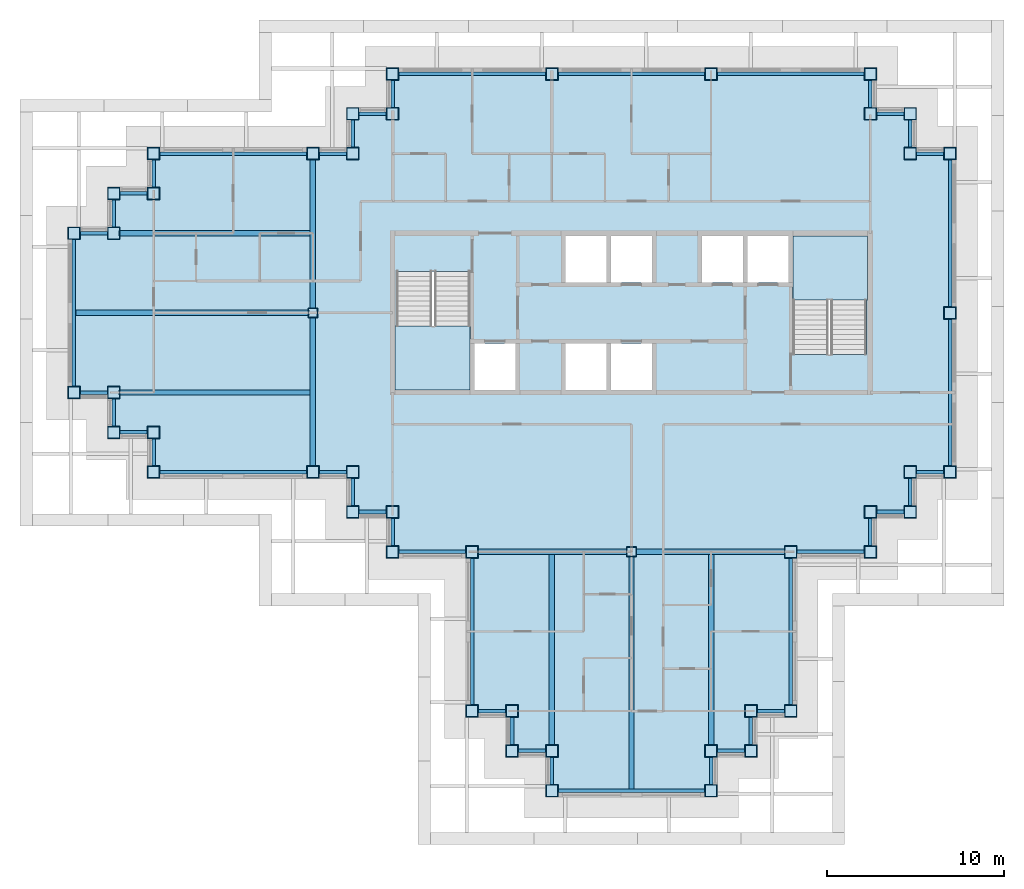
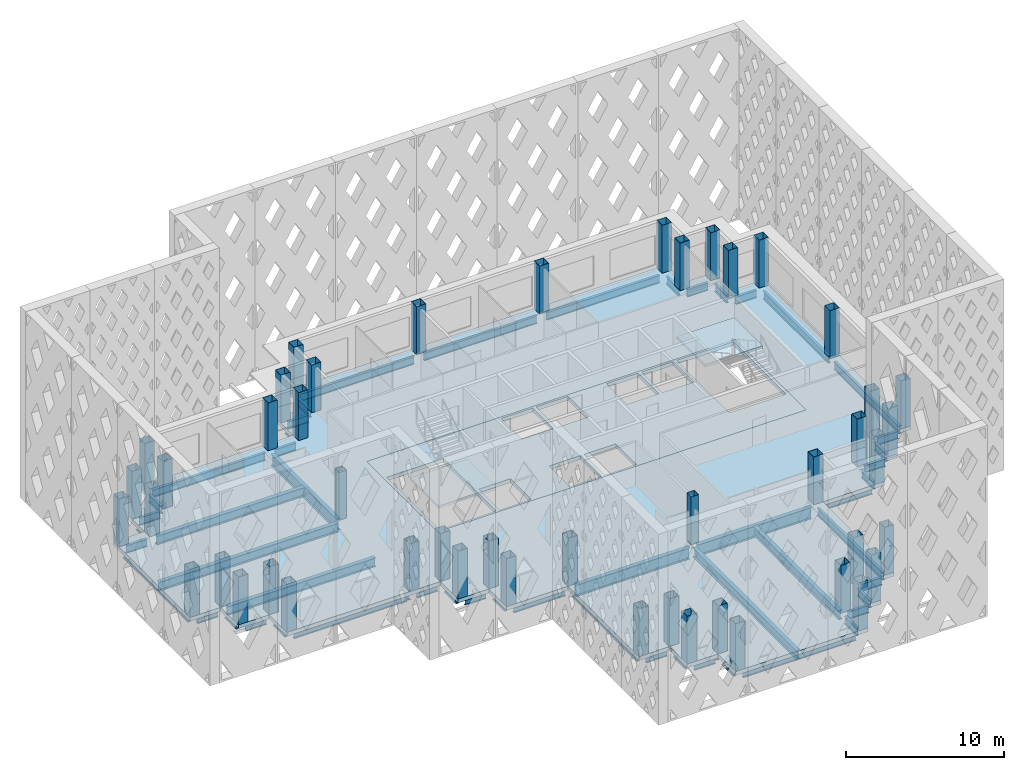
# One storey, part 1 of 16: 55 beams, 47 columns, 4 slabs, 2 elements without a shape of their own.
"""IFC4 building model written with IfcOpenShell, lengths in metres."""

from ifc_helpers import new_model, si_unit, direction, frame, origin, origin_2d, place, context, subcontext, project, spatial, polyline, hollow_rectangle, i_section, outline, extrude, material, layer, layer_set, material_profile, profile_set, type_object, element, aggregate, save


model = new_model("IFC4")

# Units and contexts
model_context = context("Model", 3, precision=1e-05, world=origin(), true_north=direction((0.0, 1.0)))
body_context = subcontext(model_context, "Body", "Model", "MODEL_VIEW")
ifc_project = project(units=[si_unit("LENGTHUNIT", "METRE"), si_unit("AREAUNIT", "SQUARE_METRE"), si_unit("VOLUMEUNIT", "CUBIC_METRE"), si_unit("PLANEANGLEUNIT", "RADIAN"), si_unit("MASSUNIT", "GRAM", prefix="KILO")], contexts=[model_context])

# Site, building, storey
site_placement = place(None, origin())
site = spatial("IfcSite", under=ifc_project, at=site_placement, CompositionType="ELEMENT")
building_placement = place(site_placement, origin())
building = spatial("IfcBuilding", under=site, at=building_placement, Name="Caravel Reach Hotel and Residences", CompositionType="ELEMENT")
storey_placement = place(building_placement, frame((0.0, 0.0, 207.199951171875)))
storey = spatial("IfcBuildingStorey", under=building, at=storey_placement, Name="L52", CompositionType="ELEMENT", Elevation=207.199951171875)

# Columns
ifc_material_1 = material(Name="Concrete-filled steel tube Q390B with Concrete C60 infill", Category="concrete")
ifc_material_profile_1 = material_profile(ifc_material_1, hollow_rectangle(XDim=0.550048828125, YDim=0.550048828125, WallThickness=0.01806640625, at=origin_2d()), Name="RHS 550x550x18")
ifc_profile_set_1 = profile_set([ifc_material_profile_1], Name="Concrete-filled steel tube Q390B with Concrete C60 infill")
column_type_1 = type_object("IfcColumnType", Name="CFT 550x550 Q390B C60", PredefinedType="COLUMN", material=ifc_profile_set_1)
for number, where, z_axis, x_axis, name in (
    (1, (31.5, 13.5, 0.0), (0.0, 0.0, 1.0), (1.0, 0.0, 0.0), "C18 column"),
    (2, (13.5, 27.0, 0.0), (0.0, 0.0, 1.0), (1.0, 0.0, 0.0), "C18 column"),
):
    element("IfcColumn", number, at=place(storey_placement, frame(where, z_axis=z_axis, x_axis=x_axis)), inside=storey, type_object=column_type_1, Name=name, PredefinedType="COLUMN", context=body_context, shape_type="SweptSolid", body=[
        extrude(hollow_rectangle(XDim=0.550048828125, YDim=0.550048828125, WallThickness=0.01806640625, at=origin_2d()), origin(), (0.0, 0.0, 1.0), 3.699951171875),
    ])
ifc_material_2 = material(Name="Concrete-filled steel tube Q390B with Concrete C60 infill", Category="concrete")
ifc_material_profile_2 = material_profile(ifc_material_2, hollow_rectangle(XDim=0.699951171875, YDim=0.699951171875, WallThickness=0.02197265625, at=origin_2d()), Name="RHS 700x700x22")
ifc_profile_set_2 = profile_set([ifc_material_profile_2], Name="Concrete-filled steel tube Q390B with Concrete C60 infill")
column_type_2 = type_object("IfcColumnType", Name="CFT 700x700 Q390B C60", PredefinedType="COLUMN", material=ifc_profile_set_2)
for number, where, z_axis, x_axis, name in (
    (3, (40.5, 13.5, 0.0), (0.0, 0.0, 1.0), (1.0, 0.0, 0.0), "C7 column"),
    (4, (45.0, 13.5, 0.0), (0.0, 0.0, 1.0), (1.0, 0.0, 0.0), "C7 column"),
    (5, (45.0, 15.75, 0.0), (0.0, 0.0, 1.0), (1.0, 0.0, 0.0), "C7 column"),
    (6, (47.25, 15.75, 0.0), (0.0, 0.0, 1.0), (1.0, 0.0, 0.0), "C7 column"),
    (7, (47.25, 18.0, 0.0), (0.0, 0.0, 1.0), (1.0, 0.0, 0.0), "C7 column"),
    (8, (49.5, 18.0, 0.0), (0.0, 0.0, 1.0), (1.0, 0.0, 0.0), "C7 column"),
    (9, (49.5, 27.0, 0.0), (0.0, 0.0, 1.0), (1.0, 0.0, 0.0), "C7 column"),
    (10, (49.5, 36.0, 0.0), (0.0, 0.0, 1.0), (1.0, 0.0, 0.0), "C7 column"),
    (11, (47.25, 36.0, 0.0), (0.0, 0.0, 1.0), (1.0, 0.0, 0.0), "C7 column"),
    (12, (47.25, 38.25, 0.0), (0.0, 0.0, 1.0), (1.0, 0.0, 0.0), "C7 column"),
    (13, (45.0, 38.25, 0.0), (0.0, 0.0, 1.0), (1.0, 0.0, 0.0), "C7 column"),
    (14, (45.0, 40.5, 0.0), (0.0, 0.0, 1.0), (1.0, 0.0, 0.0), "C7 column"),
    (15, (36.0, 40.5, 0.0), (0.0, 0.0, 1.0), (1.0, 0.0, 0.0), "C7 column"),
    (16, (27.0, 40.5, 0.0), (0.0, 0.0, 1.0), (1.0, 0.0, 0.0), "C7 column"),
    (17, (18.0, 40.5, 0.0), (0.0, 0.0, 1.0), (1.0, 0.0, 0.0), "C7 column"),
    (18, (18.0, 38.25, 0.0), (0.0, 0.0, 1.0), (1.0, 0.0, 0.0), "C7 column"),
    (19, (15.75, 38.25, 0.0), (0.0, 0.0, 1.0), (1.0, 0.0, 0.0), "C7 column"),
    (20, (15.75, 36.0, 0.0), (0.0, 0.0, 1.0), (1.0, 0.0, 0.0), "C7 column"),
    (21, (13.5, 36.0, 0.0), (0.0, 0.0, 1.0), (1.0, 0.0, 0.0), "C7 column"),
    (22, (4.5, 36.0, 0.0), (0.0, 0.0, 1.0), (1.0, 0.0, 0.0), "C7 column"),
    (23, (4.5, 33.75, 0.0), (0.0, 0.0, 1.0), (1.0, 0.0, 0.0), "C7 column"),
    (24, (2.25, 33.75, 0.0), (0.0, 0.0, 1.0), (1.0, 0.0, 0.0), "C7 column"),
    (25, (2.25, 31.5, 0.0), (0.0, 0.0, 1.0), (1.0, 0.0, 0.0), "C7 column"),
    (26, (0.0, 31.5, 0.0), (0.0, 0.0, 1.0), (1.0, 0.0, 0.0), "C7 column"),
    (27, (0.0, 22.5, 0.0), (0.0, 0.0, 1.0), (1.0, 0.0, 0.0), "C7 column"),
    (28, (2.25, 22.5, 0.0), (0.0, 0.0, 1.0), (1.0, 0.0, 0.0), "C7 column"),
    (29, (2.25, 20.25, 0.0), (0.0, 0.0, 1.0), (1.0, 0.0, 0.0), "C7 column"),
    (30, (4.5, 20.25, 0.0), (0.0, 0.0, 1.0), (1.0, 0.0, 0.0), "C7 column"),
    (31, (4.5, 18.0, 0.0), (0.0, 0.0, 1.0), (1.0, 0.0, 0.0), "C7 column"),
    (32, (13.5, 18.0, 0.0), (0.0, 0.0, 1.0), (1.0, 0.0, 0.0), "C7 column"),
    (33, (15.75, 18.0, 0.0), (0.0, 0.0, 1.0), (1.0, 0.0, 0.0), "C7 column"),
    (34, (15.75, 15.75, 0.0), (0.0, 0.0, 1.0), (1.0, 0.0, 0.0), "C7 column"),
    (35, (18.0, 15.75, 0.0), (0.0, 0.0, 1.0), (1.0, 0.0, 0.0), "C7 column"),
    (36, (18.0, 13.5, 0.0), (0.0, 0.0, 1.0), (1.0, 0.0, 0.0), "C7 column"),
    (37, (22.5, 13.5, 0.0), (0.0, 0.0, 1.0), (1.0, 0.0, 0.0), "C7 column"),
    (38, (22.5, 4.5, 0.0), (0.0, 0.0, 1.0), (1.0, 0.0, 0.0), "C7 column"),
    (39, (24.75, 4.5, 0.0), (0.0, 0.0, 1.0), (1.0, 0.0, 0.0), "C7 column"),
    (40, (24.75, 2.25, 0.0), (0.0, 0.0, 1.0), (1.0, 0.0, 0.0), "C7 column"),
    (41, (27.0, 2.25, 0.0), (0.0, 0.0, 1.0), (1.0, 0.0, 0.0), "C7 column"),
    (42, (27.0, 0.0, 0.0), (0.0, 0.0, 1.0), (1.0, 0.0, 0.0), "C7 column"),
    (43, (36.0, 0.0, 0.0), (0.0, 0.0, 1.0), (1.0, 0.0, 0.0), "C7 column"),
    (44, (36.0, 2.25, 0.0), (0.0, 0.0, 1.0), (1.0, 0.0, 0.0), "C7 column"),
    (45, (38.25, 2.25, 0.0), (0.0, 0.0, 1.0), (1.0, 0.0, 0.0), "C7 column"),
    (46, (38.25, 4.5, 0.0), (0.0, 0.0, 1.0), (1.0, 0.0, 0.0), "C7 column"),
    (47, (40.5, 4.5, 0.0), (0.0, 0.0, 1.0), (1.0, 0.0, 0.0), "C7 column"),
):
    element("IfcColumn", number, at=place(storey_placement, frame(where, z_axis=z_axis, x_axis=x_axis)), inside=storey, type_object=column_type_2, Name=name, PredefinedType="COLUMN", context=body_context, shape_type="SweptSolid", body=[
        extrude(hollow_rectangle(XDim=0.699951171875, YDim=0.699951171875, WallThickness=0.02197265625, at=origin_2d()), origin(), (0.0, 0.0, 1.0), 3.699951171875),
    ])

# Beams
ifc_material_3 = material(Name="Structural steel Q355B", Category="steel")
ifc_material_profile_3 = material_profile(ifc_material_3, i_section(OverallWidth=0.300048828125, OverallDepth=0.699951171875, WebThickness=0.012939453125, FlangeThickness=0.02392578125, FilletRadius=0.01806640625, at=origin_2d()), Name="HN 700x300x13x24")
ifc_profile_set_3 = profile_set([ifc_material_profile_3], Name="Structural steel Q355B")
beam_type_1 = type_object("IfcBeamType", Name="Beam HN 700x300x13x24", PredefinedType="BEAM", material=ifc_profile_set_3)
beam_1_placement = place(storey_placement, frame((27.0, 13.39990234375, -0.64990234375), z_axis=(0.0, -1.0, 0.0), x_axis=(1.0, 0.0, 0.0)))
element("IfcBeam", 48, at=beam_1_placement, inside=storey, type_object=beam_type_1, Name="B2 HN 700x300x13x24", PredefinedType="BEAM", context=body_context, shape_type="SweptSolid", body=[
    extrude(i_section(OverallWidth=0.300048828125, OverallDepth=0.699951171875, WebThickness=0.012939453125, FlangeThickness=0.02392578125, FilletRadius=0.01806640625, at=origin_2d()), origin(), (0.0, 0.0, 1.0), 10.849853515625),
])
beam_2_placement = place(storey_placement, frame((31.5, 13.27490234375, -0.64990234375), z_axis=(0.0, -1.0, 0.0), x_axis=(1.0, 0.0, 0.0)))
element("IfcBeam", 49, at=beam_2_placement, inside=storey, type_object=beam_type_1, Name="B2 HN 700x300x13x24", PredefinedType="BEAM", context=body_context, shape_type="SweptSolid", body=[
    extrude(i_section(OverallWidth=0.300048828125, OverallDepth=0.699951171875, WebThickness=0.012939453125, FlangeThickness=0.02392578125, FilletRadius=0.01806640625, at=origin_2d()), origin(), (0.0, 0.0, 1.0), 13.1748046875),
])
for number, where, z_axis, x_axis, name in (
    (50, (36.0, 13.39990234375, -0.64990234375), (0.0, -1.0, 0.0), (1.0, 0.0, 0.0), "B2 HN 700x300x13x24"),
    (51, (13.39990234375, 22.5, -0.64990234375), (-1.0, 0.0, 0.0), (0.0, -1.0, 0.0), "B2 HN 700x300x13x24"),
):
    element("IfcBeam", number, at=place(storey_placement, frame(where, z_axis=z_axis, x_axis=x_axis)), inside=storey, type_object=beam_type_1, Name=name, PredefinedType="BEAM", context=body_context, shape_type="SweptSolid", body=[
        extrude(i_section(OverallWidth=0.300048828125, OverallDepth=0.699951171875, WebThickness=0.012939453125, FlangeThickness=0.02392578125, FilletRadius=0.01806640625, at=origin_2d()), origin(), (0.0, 0.0, 1.0), 10.849853515625),
    ])
beam_3_placement = place(storey_placement, frame((13.27490234375, 27.0, -0.64990234375), z_axis=(-1.0, 0.0, 0.0), x_axis=(0.0, -1.0, 0.0)))
element("IfcBeam", 52, at=beam_3_placement, inside=storey, type_object=beam_type_1, Name="B2 HN 700x300x13x24", PredefinedType="BEAM", context=body_context, shape_type="SweptSolid", body=[
    extrude(i_section(OverallWidth=0.300048828125, OverallDepth=0.699951171875, WebThickness=0.012939453125, FlangeThickness=0.02392578125, FilletRadius=0.01806640625, at=origin_2d()), origin(), (0.0, 0.0, 1.0), 13.1748046875),
])
beam_4_placement = place(storey_placement, frame((13.39990234375, 31.5, -0.64990234375), z_axis=(-1.0, 0.0, 0.0), x_axis=(0.0, -1.0, 0.0)))
element("IfcBeam", 53, at=beam_4_placement, inside=storey, type_object=beam_type_1, Name="B2 HN 700x300x13x24", PredefinedType="BEAM", context=body_context, shape_type="SweptSolid", body=[
    extrude(i_section(OverallWidth=0.300048828125, OverallDepth=0.699951171875, WebThickness=0.012939453125, FlangeThickness=0.02392578125, FilletRadius=0.01806640625, at=origin_2d()), origin(), (0.0, 0.0, 1.0), 10.849853515625),
])
ifc_material_4 = material(Name="Structural steel Q355B", Category="steel")
ifc_material_profile_4 = material_profile(ifc_material_4, i_section(OverallWidth=0.300048828125, OverallDepth=0.89990234375, WebThickness=0.01611328125, FlangeThickness=0.028076171875, FilletRadius=0.01806640625, at=origin_2d()), Name="HN 900x300x16x28")
ifc_profile_set_4 = profile_set([ifc_material_profile_4], Name="Structural steel Q355B")
beam_type_2 = type_object("IfcBeamType", Name="Beam HN 900x300x16x28", PredefinedType="BEAM", material=ifc_profile_set_4)
for number, where, z_axis, x_axis, name in (
    (54, (22.85009765625, 13.5, -0.75), (1.0, 0.0, 0.0), (0.0, 1.0, 0.0), "B3 HN 900x300x16x28"),
    (55, (31.77490234375, 13.5, -0.75), (1.0, 0.0, 0.0), (0.0, 1.0, 0.0), "B3 HN 900x300x16x28"),
    (56, (13.5, 18.35009765625, -0.75), (0.0, 1.0, 0.0), (-1.0, 0.0, 0.0), "B3 HN 900x300x16x28"),
    (57, (13.5, 27.27490234375, -0.75), (0.0, 1.0, 0.0), (-1.0, 0.0, 0.0), "B3 HN 900x300x16x28"),
):
    element("IfcBeam", number, at=place(storey_placement, frame(where, z_axis=z_axis, x_axis=x_axis)), inside=storey, type_object=beam_type_2, Name=name, PredefinedType="BEAM", context=body_context, shape_type="SweptSolid", body=[
        extrude(i_section(OverallWidth=0.300048828125, OverallDepth=0.89990234375, WebThickness=0.01611328125, FlangeThickness=0.028076171875, FilletRadius=0.01806640625, at=origin_2d()), origin(), (0.0, 0.0, 1.0), 8.375),
    ])
ifc_material_5 = material(Name="Structural steel Q355B", Category="steel")
ifc_material_profile_5 = material_profile(ifc_material_5, i_section(OverallWidth=0.199951171875, OverallDepth=0.60009765625, WebThickness=0.010986328125, FlangeThickness=0.01708984375, FilletRadius=0.012939453125, at=origin_2d()), Name="HN 600x200x11x17")
ifc_profile_set_5 = profile_set([ifc_material_profile_5], Name="Structural steel Q355B")
beam_type_3 = type_object("IfcBeamType", Name="Spandrel beam HN 600x200x11x17", PredefinedType="SPANDREL", material=ifc_profile_set_5)
beam_5_placement = place(storey_placement, frame((40.85009765625, 13.5, -0.599853515625), z_axis=(1.0, 0.0, 0.0), x_axis=(0.0, 1.0, 0.0)))
element("IfcBeam", 58, at=beam_5_placement, inside=storey, type_object=beam_type_3, Name="SP1 HN 600x200x11x17", PredefinedType="SPANDREL", context=body_context, shape_type="SweptSolid", body=[
    extrude(i_section(OverallWidth=0.199951171875, OverallDepth=0.60009765625, WebThickness=0.010986328125, FlangeThickness=0.01708984375, FilletRadius=0.012939453125, at=origin_2d()), origin(), (0.0, 0.0, 1.0), 3.7998046875),
])
for number, where, z_axis, x_axis, name in (
    (59, (45.0, 13.85009765625, -0.599853515625), (0.0, 1.0, 0.0), (-1.0, 0.0, 0.0), "SP1 HN 600x200x11x17"),
    (60, (45.35009765625, 15.75, -0.599853515625), (1.0, 0.0, 0.0), (0.0, 1.0, 0.0), "SP1 HN 600x200x11x17"),
    (61, (47.25, 16.10009765625, -0.599853515625), (0.0, 1.0, 0.0), (-1.0, 0.0, 0.0), "SP1 HN 600x200x11x17"),
    (62, (47.60009765625, 18.0, -0.599853515625), (1.0, 0.0, 0.0), (0.0, 1.0, 0.0), "SP1 HN 600x200x11x17"),
):
    element("IfcBeam", number, at=place(storey_placement, frame(where, z_axis=z_axis, x_axis=x_axis)), inside=storey, type_object=beam_type_3, Name=name, PredefinedType="SPANDREL", context=body_context, shape_type="SweptSolid", body=[
        extrude(i_section(OverallWidth=0.199951171875, OverallDepth=0.60009765625, WebThickness=0.010986328125, FlangeThickness=0.01708984375, FilletRadius=0.012939453125, at=origin_2d()), origin(), (0.0, 0.0, 1.0), 1.5498046875),
    ])
for number, where, z_axis, x_axis, name in (
    (63, (49.5, 18.35009765625, -0.599853515625), (0.0, 1.0, 0.0), (-1.0, 0.0, 0.0), "SP1 HN 600x200x11x17"),
    (64, (49.5, 27.35009765625, -0.599853515625), (0.0, 1.0, 0.0), (-1.0, 0.0, 0.0), "SP1 HN 600x200x11x17"),
):
    element("IfcBeam", number, at=place(storey_placement, frame(where, z_axis=z_axis, x_axis=x_axis)), inside=storey, type_object=beam_type_3, Name=name, PredefinedType="SPANDREL", context=body_context, shape_type="SweptSolid", body=[
        extrude(i_section(OverallWidth=0.199951171875, OverallDepth=0.60009765625, WebThickness=0.010986328125, FlangeThickness=0.01708984375, FilletRadius=0.012939453125, at=origin_2d()), origin(), (0.0, 0.0, 1.0), 8.2998046875),
    ])
for number, where, z_axis, x_axis, name in (
    (65, (49.14990234375, 36.0, -0.599853515625), (-1.0, 0.0, 0.0), (0.0, -1.0, 0.0), "SP1 HN 600x200x11x17"),
    (66, (47.25, 36.35009765625, -0.599853515625), (0.0, 1.0, 0.0), (-1.0, 0.0, 0.0), "SP1 HN 600x200x11x17"),
    (67, (46.89990234375, 38.25, -0.599853515625), (-1.0, 0.0, 0.0), (0.0, -1.0, 0.0), "SP1 HN 600x200x11x17"),
    (68, (45.0, 38.60009765625, -0.599853515625), (0.0, 1.0, 0.0), (-1.0, 0.0, 0.0), "SP1 HN 600x200x11x17"),
):
    element("IfcBeam", number, at=place(storey_placement, frame(where, z_axis=z_axis, x_axis=x_axis)), inside=storey, type_object=beam_type_3, Name=name, PredefinedType="SPANDREL", context=body_context, shape_type="SweptSolid", body=[
        extrude(i_section(OverallWidth=0.199951171875, OverallDepth=0.60009765625, WebThickness=0.010986328125, FlangeThickness=0.01708984375, FilletRadius=0.012939453125, at=origin_2d()), origin(), (0.0, 0.0, 1.0), 1.5498046875),
    ])
for number, where, z_axis, x_axis, name in (
    (69, (44.64990234375, 40.5, -0.599853515625), (-1.0, 0.0, 0.0), (0.0, -1.0, 0.0), "SP1 HN 600x200x11x17"),
    (70, (35.64990234375, 40.5, -0.599853515625), (-1.0, 0.0, 0.0), (0.0, -1.0, 0.0), "SP1 HN 600x200x11x17"),
    (71, (26.64990234375, 40.5, -0.599853515625), (-1.0, 0.0, 0.0), (0.0, -1.0, 0.0), "SP1 HN 600x200x11x17"),
):
    element("IfcBeam", number, at=place(storey_placement, frame(where, z_axis=z_axis, x_axis=x_axis)), inside=storey, type_object=beam_type_3, Name=name, PredefinedType="SPANDREL", context=body_context, shape_type="SweptSolid", body=[
        extrude(i_section(OverallWidth=0.199951171875, OverallDepth=0.60009765625, WebThickness=0.010986328125, FlangeThickness=0.01708984375, FilletRadius=0.012939453125, at=origin_2d()), origin(), (0.0, 0.0, 1.0), 8.2998046875),
    ])
for number, where, z_axis, x_axis, name in (
    (72, (18.0, 40.14990234375, -0.599853515625), (0.0, -1.0, 0.0), (1.0, 0.0, 0.0), "SP1 HN 600x200x11x17"),
    (73, (17.64990234375, 38.25, -0.599853515625), (-1.0, 0.0, 0.0), (0.0, -1.0, 0.0), "SP1 HN 600x200x11x17"),
    (74, (15.75, 37.89990234375, -0.599853515625), (0.0, -1.0, 0.0), (1.0, 0.0, 0.0), "SP1 HN 600x200x11x17"),
    (75, (15.39990234375, 36.0, -0.599853515625), (-1.0, 0.0, 0.0), (0.0, -1.0, 0.0), "SP1 HN 600x200x11x17"),
):
    element("IfcBeam", number, at=place(storey_placement, frame(where, z_axis=z_axis, x_axis=x_axis)), inside=storey, type_object=beam_type_3, Name=name, PredefinedType="SPANDREL", context=body_context, shape_type="SweptSolid", body=[
        extrude(i_section(OverallWidth=0.199951171875, OverallDepth=0.60009765625, WebThickness=0.010986328125, FlangeThickness=0.01708984375, FilletRadius=0.012939453125, at=origin_2d()), origin(), (0.0, 0.0, 1.0), 1.5498046875),
    ])
beam_6_placement = place(storey_placement, frame((13.14990234375, 36.0, -0.599853515625), z_axis=(-1.0, 0.0, 0.0), x_axis=(0.0, -1.0, 0.0)))
element("IfcBeam", 76, at=beam_6_placement, inside=storey, type_object=beam_type_3, Name="SP1 HN 600x200x11x17", PredefinedType="SPANDREL", context=body_context, shape_type="SweptSolid", body=[
    extrude(i_section(OverallWidth=0.199951171875, OverallDepth=0.60009765625, WebThickness=0.010986328125, FlangeThickness=0.01708984375, FilletRadius=0.012939453125, at=origin_2d()), origin(), (0.0, 0.0, 1.0), 8.2998046875),
])
for number, where, z_axis, x_axis, name in (
    (77, (4.5, 35.64990234375, -0.599853515625), (0.0, -1.0, 0.0), (1.0, 0.0, 0.0), "SP1 HN 600x200x11x17"),
    (78, (4.14990234375, 33.75, -0.599853515625), (-1.0, 0.0, 0.0), (0.0, -1.0, 0.0), "SP1 HN 600x200x11x17"),
    (79, (2.25, 33.39990234375, -0.599853515625), (0.0, -1.0, 0.0), (1.0, 0.0, 0.0), "SP1 HN 600x200x11x17"),
    (80, (1.89990234375, 31.5, -0.599853515625), (-1.0, 0.0, 0.0), (0.0, -1.0, 0.0), "SP1 HN 600x200x11x17"),
):
    element("IfcBeam", number, at=place(storey_placement, frame(where, z_axis=z_axis, x_axis=x_axis)), inside=storey, type_object=beam_type_3, Name=name, PredefinedType="SPANDREL", context=body_context, shape_type="SweptSolid", body=[
        extrude(i_section(OverallWidth=0.199951171875, OverallDepth=0.60009765625, WebThickness=0.010986328125, FlangeThickness=0.01708984375, FilletRadius=0.012939453125, at=origin_2d()), origin(), (0.0, 0.0, 1.0), 1.5498046875),
    ])
beam_7_placement = place(storey_placement, frame((0.0, 31.14990234375, -0.599853515625), z_axis=(0.0, -1.0, 0.0), x_axis=(1.0, 0.0, 0.0)))
element("IfcBeam", 81, at=beam_7_placement, inside=storey, type_object=beam_type_3, Name="SP1 HN 600x200x11x17", PredefinedType="SPANDREL", context=body_context, shape_type="SweptSolid", body=[
    extrude(i_section(OverallWidth=0.199951171875, OverallDepth=0.60009765625, WebThickness=0.010986328125, FlangeThickness=0.01708984375, FilletRadius=0.012939453125, at=origin_2d()), origin(), (0.0, 0.0, 1.0), 8.2998046875),
])
for number, where, z_axis, x_axis, name in (
    (82, (0.35009765625, 22.5, -0.599853515625), (1.0, 0.0, 0.0), (0.0, 1.0, 0.0), "SP1 HN 600x200x11x17"),
    (83, (2.25, 22.14990234375, -0.599853515625), (0.0, -1.0, 0.0), (1.0, 0.0, 0.0), "SP1 HN 600x200x11x17"),
    (84, (2.60009765625, 20.25, -0.599853515625), (1.0, 0.0, 0.0), (0.0, 1.0, 0.0), "SP1 HN 600x200x11x17"),
    (85, (4.5, 19.89990234375, -0.599853515625), (0.0, -1.0, 0.0), (1.0, 0.0, 0.0), "SP1 HN 600x200x11x17"),
):
    element("IfcBeam", number, at=place(storey_placement, frame(where, z_axis=z_axis, x_axis=x_axis)), inside=storey, type_object=beam_type_3, Name=name, PredefinedType="SPANDREL", context=body_context, shape_type="SweptSolid", body=[
        extrude(i_section(OverallWidth=0.199951171875, OverallDepth=0.60009765625, WebThickness=0.010986328125, FlangeThickness=0.01708984375, FilletRadius=0.012939453125, at=origin_2d()), origin(), (0.0, 0.0, 1.0), 1.5498046875),
    ])
beam_8_placement = place(storey_placement, frame((4.85009765625, 18.0, -0.599853515625), z_axis=(1.0, 0.0, 0.0), x_axis=(0.0, 1.0, 0.0)))
element("IfcBeam", 86, at=beam_8_placement, inside=storey, type_object=beam_type_3, Name="SP1 HN 600x200x11x17", PredefinedType="SPANDREL", context=body_context, shape_type="SweptSolid", body=[
    extrude(i_section(OverallWidth=0.199951171875, OverallDepth=0.60009765625, WebThickness=0.010986328125, FlangeThickness=0.01708984375, FilletRadius=0.012939453125, at=origin_2d()), origin(), (0.0, 0.0, 1.0), 8.2998046875),
])
for number, where, z_axis, x_axis, name in (
    (87, (13.85009765625, 18.0, -0.599853515625), (1.0, 0.0, 0.0), (0.0, 1.0, 0.0), "SP1 HN 600x200x11x17"),
    (88, (15.75, 17.64990234375, -0.599853515625), (0.0, -1.0, 0.0), (1.0, 0.0, 0.0), "SP1 HN 600x200x11x17"),
    (89, (16.10009765625, 15.75, -0.599853515625), (1.0, 0.0, 0.0), (0.0, 1.0, 0.0), "SP1 HN 600x200x11x17"),
    (90, (18.0, 15.39990234375, -0.599853515625), (0.0, -1.0, 0.0), (1.0, 0.0, 0.0), "SP1 HN 600x200x11x17"),
):
    element("IfcBeam", number, at=place(storey_placement, frame(where, z_axis=z_axis, x_axis=x_axis)), inside=storey, type_object=beam_type_3, Name=name, PredefinedType="SPANDREL", context=body_context, shape_type="SweptSolid", body=[
        extrude(i_section(OverallWidth=0.199951171875, OverallDepth=0.60009765625, WebThickness=0.010986328125, FlangeThickness=0.01708984375, FilletRadius=0.012939453125, at=origin_2d()), origin(), (0.0, 0.0, 1.0), 1.5498046875),
    ])
beam_9_placement = place(storey_placement, frame((18.35009765625, 13.5, -0.599853515625), z_axis=(1.0, 0.0, 0.0), x_axis=(0.0, 1.0, 0.0)))
element("IfcBeam", 91, at=beam_9_placement, inside=storey, type_object=beam_type_3, Name="SP1 HN 600x200x11x17", PredefinedType="SPANDREL", context=body_context, shape_type="SweptSolid", body=[
    extrude(i_section(OverallWidth=0.199951171875, OverallDepth=0.60009765625, WebThickness=0.010986328125, FlangeThickness=0.01708984375, FilletRadius=0.012939453125, at=origin_2d()), origin(), (0.0, 0.0, 1.0), 3.7998046875),
])
beam_10_placement = place(storey_placement, frame((22.5, 13.14990234375, -0.599853515625), z_axis=(0.0, -1.0, 0.0), x_axis=(1.0, 0.0, 0.0)))
element("IfcBeam", 92, at=beam_10_placement, inside=storey, type_object=beam_type_3, Name="SP1 HN 600x200x11x17", PredefinedType="SPANDREL", context=body_context, shape_type="SweptSolid", body=[
    extrude(i_section(OverallWidth=0.199951171875, OverallDepth=0.60009765625, WebThickness=0.010986328125, FlangeThickness=0.01708984375, FilletRadius=0.012939453125, at=origin_2d()), origin(), (0.0, 0.0, 1.0), 8.2998046875),
])
for number, where, z_axis, x_axis, name in (
    (93, (22.85009765625, 4.5, -0.599853515625), (1.0, 0.0, 0.0), (0.0, 1.0, 0.0), "SP1 HN 600x200x11x17"),
    (94, (24.75, 4.14990234375, -0.599853515625), (0.0, -1.0, 0.0), (1.0, 0.0, 0.0), "SP1 HN 600x200x11x17"),
    (95, (25.10009765625, 2.25, -0.599853515625), (1.0, 0.0, 0.0), (0.0, 1.0, 0.0), "SP1 HN 600x200x11x17"),
    (96, (27.0, 1.89990234375, -0.599853515625), (0.0, -1.0, 0.0), (1.0, 0.0, 0.0), "SP1 HN 600x200x11x17"),
):
    element("IfcBeam", number, at=place(storey_placement, frame(where, z_axis=z_axis, x_axis=x_axis)), inside=storey, type_object=beam_type_3, Name=name, PredefinedType="SPANDREL", context=body_context, shape_type="SweptSolid", body=[
        extrude(i_section(OverallWidth=0.199951171875, OverallDepth=0.60009765625, WebThickness=0.010986328125, FlangeThickness=0.01708984375, FilletRadius=0.012939453125, at=origin_2d()), origin(), (0.0, 0.0, 1.0), 1.5498046875),
    ])
beam_11_placement = place(storey_placement, frame((27.35009765625, 0.0, -0.599853515625), z_axis=(1.0, 0.0, 0.0), x_axis=(0.0, 1.0, 0.0)))
element("IfcBeam", 97, at=beam_11_placement, inside=storey, type_object=beam_type_3, Name="SP1 HN 600x200x11x17", PredefinedType="SPANDREL", context=body_context, shape_type="SweptSolid", body=[
    extrude(i_section(OverallWidth=0.199951171875, OverallDepth=0.60009765625, WebThickness=0.010986328125, FlangeThickness=0.01708984375, FilletRadius=0.012939453125, at=origin_2d()), origin(), (0.0, 0.0, 1.0), 8.2998046875),
])
for number, where, z_axis, x_axis, name in (
    (98, (36.0, 0.35009765625, -0.599853515625), (0.0, 1.0, 0.0), (-1.0, 0.0, 0.0), "SP1 HN 600x200x11x17"),
    (99, (36.35009765625, 2.25, -0.599853515625), (1.0, 0.0, 0.0), (0.0, 1.0, 0.0), "SP1 HN 600x200x11x17"),
    (100, (38.25, 2.60009765625, -0.599853515625), (0.0, 1.0, 0.0), (-1.0, 0.0, 0.0), "SP1 HN 600x200x11x17"),
    (101, (38.60009765625, 4.5, -0.599853515625), (1.0, 0.0, 0.0), (0.0, 1.0, 0.0), "SP1 HN 600x200x11x17"),
):
    element("IfcBeam", number, at=place(storey_placement, frame(where, z_axis=z_axis, x_axis=x_axis)), inside=storey, type_object=beam_type_3, Name=name, PredefinedType="SPANDREL", context=body_context, shape_type="SweptSolid", body=[
        extrude(i_section(OverallWidth=0.199951171875, OverallDepth=0.60009765625, WebThickness=0.010986328125, FlangeThickness=0.01708984375, FilletRadius=0.012939453125, at=origin_2d()), origin(), (0.0, 0.0, 1.0), 1.5498046875),
    ])
beam_12_placement = place(storey_placement, frame((40.5, 4.85009765625, -0.599853515625), z_axis=(0.0, 1.0, 0.0), x_axis=(-1.0, 0.0, 0.0)))
element("IfcBeam", 102, at=beam_12_placement, inside=storey, type_object=beam_type_3, Name="SP1 HN 600x200x11x17", PredefinedType="SPANDREL", context=body_context, shape_type="SweptSolid", body=[
    extrude(i_section(OverallWidth=0.199951171875, OverallDepth=0.60009765625, WebThickness=0.010986328125, FlangeThickness=0.01708984375, FilletRadius=0.012939453125, at=origin_2d()), origin(), (0.0, 0.0, 1.0), 8.2998046875),
])

# Slab
ifc_material_6 = material(Name="Concrete C40", Category="concrete")
ifc_layer_1 = layer(ifc_material_6, 0.300048828125)
ifc_layer_set_1 = layer_set([ifc_layer_1], Name="Core floor slab 300 mm")
slab_type_1 = type_object("IfcSlabType", Name="Core floor slab 300 mm", PredefinedType="FLOOR", material=ifc_layer_set_1)
slab_1_placement = place(storey_placement, frame((0.0, 0.0, -0.300048828125)))
element("IfcSlab", 103, at=slab_1_placement, inside=storey, type_object=slab_type_1, Name="L52 core floor", PredefinedType="FLOOR", context=body_context, shape_type="SweptSolid", body=[
    extrude(outline(polyline([(18.0, 31.5), (45.0, 31.5), (45.0, 22.5), (18.0, 22.5), (18.0, 31.5)]), holes=[polyline([(22.625, 25.27490234375), (22.625, 22.64990234375), (24.9462890625, 22.64990234375), (24.9462890625, 25.27490234375), (22.625, 25.27490234375)]), polyline([(27.767822265625, 25.27490234375), (27.767822265625, 22.64990234375), (30.08935546875, 22.64990234375), (30.08935546875, 25.27490234375), (27.767822265625, 25.27490234375)]), polyline([(30.33935546875, 25.27490234375), (30.33935546875, 22.64990234375), (32.66064453125, 22.64990234375), (32.66064453125, 25.27490234375), (30.33935546875, 25.27490234375)]), polyline([(22.375, 22.64990234375), (22.375, 29.35009765625), (18.22509765625, 29.35009765625), (18.22509765625, 22.64990234375), (22.375, 22.64990234375)]), polyline([(40.625, 31.35009765625), (40.625, 24.64990234375), (44.77490234375, 24.64990234375), (44.77490234375, 31.35009765625), (40.625, 31.35009765625)]), polyline([(27.767822265625, 31.35009765625), (27.767822265625, 28.72509765625), (30.08935546875, 28.72509765625), (30.08935546875, 31.35009765625), (27.767822265625, 31.35009765625)]), polyline([(30.33935546875, 31.35009765625), (30.33935546875, 28.72509765625), (32.66064453125, 28.72509765625), (32.66064453125, 31.35009765625), (30.33935546875, 31.35009765625)]), polyline([(37.8037109375, 31.35009765625), (35.482177734375, 31.35009765625), (35.482177734375, 28.72509765625), (37.8037109375, 28.72509765625), (37.8037109375, 31.35009765625)]), polyline([(40.375, 31.35009765625), (38.0537109375, 31.35009765625), (38.0537109375, 28.72509765625), (40.375, 28.72509765625), (40.375, 31.35009765625)])]), origin(), (0.0, 0.0, 1.0), 0.300048828125),
])

# Stair, slab
ifc_material_7 = material(Name="Concrete C40", Category="concrete")
stair_type = type_object("IfcStairType", Name="Core stair", PredefinedType="HALF_TURN_STAIR", material=ifc_material_7)
stair_1_placement = place(storey_placement, origin())
stair_1 = element("IfcStair", 104, at=stair_1_placement, inside=storey, type_object=stair_type, Name="L52 Exit stair A", PredefinedType="HALF_TURN_STAIR")
ifc_material_8 = material(Name="Concrete C40", Category="concrete")
ifc_layer_2 = layer(ifc_material_8, 0.199951171875)
ifc_layer_set_2 = layer_set([ifc_layer_2], Name="Core stair landing")
slab_type_2 = type_object("IfcSlabType", Name="Core stair landing", PredefinedType="LANDING", material=ifc_layer_set_2)
slab_2_placement = place(storey_placement, frame((0.0, 0.0, 1.650146484375)))
slab_2 = element("IfcSlab", 105, at=slab_2_placement, type_object=slab_type_2, Name="ST-A landing 1", PredefinedType="LANDING", context=body_context, shape_type="SweptSolid", body=[
    extrude(outline(polyline([(18.14990234375, 26.27001953125), (18.14990234375, 22.64990234375), (22.375, 22.64990234375), (22.375, 26.27001953125), (18.14990234375, 26.27001953125)])), origin(), (0.0, 0.0, 1.0), 0.199951171875),
])
aggregate(stair_1, [slab_2])

stair_2_placement = place(storey_placement, origin())
stair_2 = element("IfcStair", 106, at=stair_2_placement, inside=storey, type_object=stair_type, Name="L52 Exit stair B", PredefinedType="HALF_TURN_STAIR")
slab_3_placement = place(storey_placement, frame((0.0, 0.0, 1.650146484375)))
slab_3 = element("IfcSlab", 107, at=slab_3_placement, type_object=slab_type_2, Name="ST-B landing 1", PredefinedType="LANDING", context=body_context, shape_type="SweptSolid", body=[
    extrude(outline(polyline([(44.85009765625, 27.72998046875), (44.85009765625, 31.35009765625), (40.625, 31.35009765625), (40.625, 27.72998046875), (44.85009765625, 27.72998046875)])), origin(), (0.0, 0.0, 1.0), 0.199951171875),
])
aggregate(stair_2, [slab_3])

# Slab
ifc_material_9 = material(Name="Concrete C40 post-tensioned", Category="concrete")
ifc_layer_3 = layer(ifc_material_9, 0.300048828125)
ifc_layer_set_3 = layer_set([ifc_layer_3], Name="Floor slab 300")
slab_type_3 = type_object("IfcSlabType", Name="Floor slab 300", PredefinedType="FLOOR", material=ifc_layer_set_3)
slab_4_placement = place(storey_placement, frame((0.0, 0.0, -0.300048828125)))
element("IfcSlab", 108, at=slab_4_placement, inside=storey, type_object=slab_type_3, Name="S2 slab L52", PredefinedType="FLOOR", context=body_context, shape_type="SweptSolid", body=[
    extrude(outline(polyline([(38.60009765625, 4.14990234375), (38.60009765625, 1.89990234375), (36.35009765625, 1.89990234375), (36.35009765625, -0.35009765625), (26.64990234375, -0.35009765625), (26.64990234375, 1.89990234375), (24.39990234375, 1.89990234375), (24.39990234375, 4.14990234375), (22.14990234375, 4.14990234375), (22.14990234375, 13.14990234375), (17.64990234375, 13.14990234375), (17.64990234375, 15.39990234375), (15.39990234375, 15.39990234375), (15.39990234375, 17.64990234375), (4.14990234375, 17.64990234375), (4.14990234375, 19.89990234375), (1.89990234375, 19.89990234375), (1.89990234375, 22.14990234375), (-0.35009765625, 22.14990234375), (-0.35009765625, 31.85009765625), (1.89990234375, 31.85009765625), (1.89990234375, 34.10009765625), (4.14990234375, 34.10009765625), (4.14990234375, 36.35009765625), (15.39990234375, 36.35009765625), (15.39990234375, 38.60009765625), (17.64990234375, 38.60009765625), (17.64990234375, 40.85009765625), (45.35009765625, 40.85009765625), (45.35009765625, 38.60009765625), (47.60009765625, 38.60009765625), (47.60009765625, 36.35009765625), (49.85009765625, 36.35009765625), (49.85009765625, 17.64990234375), (47.60009765625, 17.64990234375), (47.60009765625, 15.39990234375), (45.35009765625, 15.39990234375), (45.35009765625, 13.14990234375), (40.85009765625, 13.14990234375), (40.85009765625, 4.14990234375), (38.60009765625, 4.14990234375)]), holes=[polyline([(45.0, 31.5), (18.0, 31.5), (18.0, 22.5), (45.0, 22.5), (45.0, 31.5)])]), origin(), (0.0, 0.0, 1.0), 0.300048828125),
])

save(model, "model.ifc")
